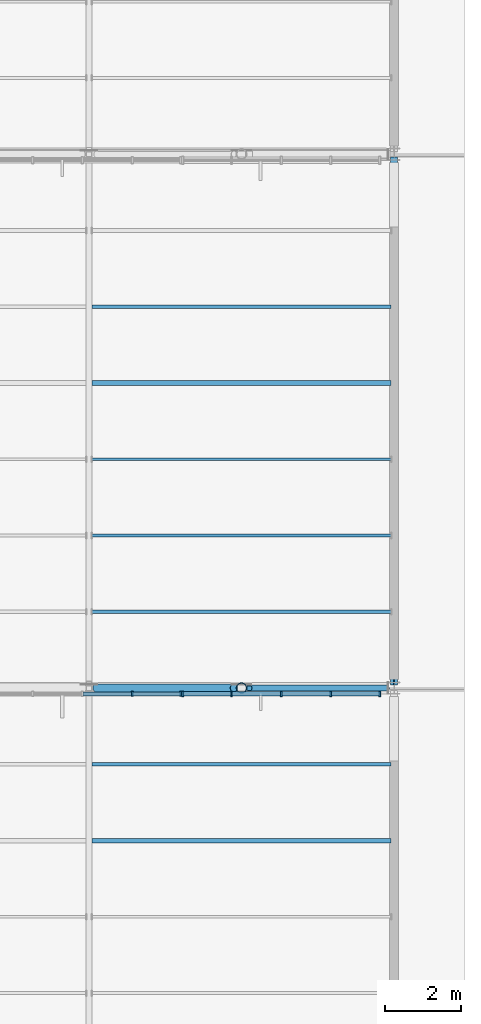
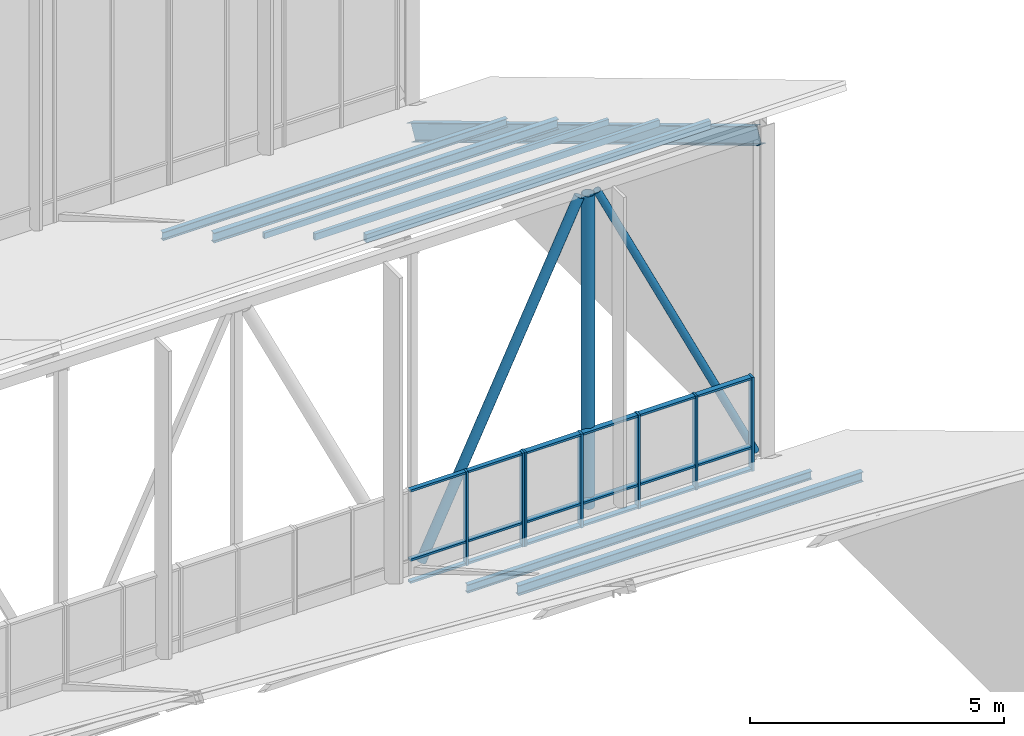
# One storey, part 60 of 155: 35 members, 1 beam, 2 elements without a shape of their own.
"""IFC4 building model written with IfcOpenShell, lengths in metres."""

from ifc_helpers import new_model, si_unit, direction, frame, origin, origin_2d, place, context, subcontext, project, spatial, rectangle, hollow_rectangle, hollow_circle, i_section, extrude, material, material_profile, profile_set, type_object, element, aggregate, save


model = new_model("IFC4")

# Units and contexts
model_context = context("Model", 3, precision=1e-05, world=origin(), true_north=direction((0.0, 1.0)))
body_context = subcontext(model_context, "Body", "Model", "MODEL_VIEW")
ifc_project = project(units=[si_unit("LENGTHUNIT", "METRE"), si_unit("AREAUNIT", "SQUARE_METRE"), si_unit("VOLUMEUNIT", "CUBIC_METRE"), si_unit("PLANEANGLEUNIT", "RADIAN"), si_unit("MASSUNIT", "GRAM", prefix="KILO")], contexts=[model_context])

# Site, building, storey
site_placement = place(None, origin())
site = spatial("IfcSite", under=ifc_project, at=site_placement, CompositionType="ELEMENT")
building_placement = place(site_placement, origin())
building = spatial("IfcBuilding", under=site, at=building_placement, Name="Larkveld Mobility Hub", CompositionType="ELEMENT")
storey_placement = place(building_placement, frame((0.0, 0.0, 8.39990234375)))
storey = spatial("IfcBuildingStorey", under=building, at=storey_placement, Name="L02", CompositionType="ELEMENT", Elevation=8.39990234375)

# Beam
ifc_material_1 = material(Name="Steel S355JR", Category="steel")
ifc_material_profile_1 = material_profile(ifc_material_1, i_section(OverallWidth=0.179931640625, OverallDepth=0.39990234375, WebThickness=0.008544921875, FlangeThickness=0.013427734375, FilletRadius=0.02099609375, at=origin_2d()), Name="IPE 400")
ifc_profile_set_1 = profile_set([ifc_material_profile_1], Name="Steel S355JR")
beam_type = type_object("IfcBeamType", Name="BM-STIPE400", PredefinedType="BEAM", material=ifc_profile_set_1)
beam_placement = place(storey_placement, frame((184.0, 84.179931640625, 7.708984375), z_axis=(0.0, 0.85749969687, -0.514484469998), x_axis=(-1.0, 0.0, 0.0)))
element("IfcBeam", 1, at=beam_placement, inside=storey, type_object=beam_type, Name="ROOF TRUSS Sawtooth Edge Rafter B5-184", PredefinedType="BEAM", context=body_context, shape_type="SweptSolid", body=[
    extrude(i_section(OverallWidth=0.179931640625, OverallDepth=0.39990234375, WebThickness=0.008544921875, FlangeThickness=0.013427734375, FilletRadius=0.02099609375, at=origin_2d()), origin(), (0.0, 0.0, 1.0), 15.906982421875),
])

# Curtain wall, members
ifc_material_2 = material(Name="Anodised aluminium 6063-T6", Category="aluminium")
curtain_wall_type_1 = type_object("IfcCurtainWallType", Name="CW-SYS-01", PredefinedType="NOTDEFINED", material=ifc_material_2)
curtain_wall_1_placement = place(storey_placement, origin())
curtain_wall_1 = element("IfcCurtainWall", 2, at=curtain_wall_1_placement, inside=storey, type_object=curtain_wall_type_1, Name="Sawtooth South-Light Clerestory B5 CW-037", PredefinedType="NOTDEFINED")
ifc_material_profile_2 = material_profile(ifc_material_2, rectangle(XDim=0.050048828125, YDim=0.14990234375, at=origin_2d()), Name="ALU MULL 50x150")
ifc_profile_set_2 = profile_set([ifc_material_profile_2], Name="Anodised aluminium 6063-T6")
member_type_1 = type_object("IfcMemberType", Name="CW-MUL-01", PredefinedType="MULLION", material=ifc_profile_set_2)
member_1_placement = place(storey_placement, frame((178.4580078125, 83.844970703125, -0.001953125), z_axis=(0.0, 0.0, 1.0), x_axis=(1.0, 0.0, 0.0)))
member_1 = element("IfcMember", 3, at=member_1_placement, type_object=member_type_1, Name="CW01 mullion 1", PredefinedType="MULLION", context=body_context, shape_type="SweptSolid", body=[
    extrude(rectangle(XDim=0.050048828125, YDim=0.14990234375, at=origin_2d()), origin(), (0.0, 0.0, 1.0), 2.261962890625),
])
member_2_placement = place(storey_placement, frame((179.737060546875, 83.844970703125, -0.001953125), z_axis=(0.0, 0.0, 1.0), x_axis=(1.0, 0.0, 0.0)))
member_2 = element("IfcMember", 4, at=member_2_placement, type_object=member_type_1, Name="CW01 mullion 2", PredefinedType="MULLION", context=body_context, shape_type="SweptSolid", body=[
    extrude(rectangle(XDim=0.050048828125, YDim=0.14990234375, at=origin_2d()), origin(), (0.0, 0.0, 1.0), 2.261962890625),
])
member_3_placement = place(storey_placement, frame((181.041015625, 83.844970703125, -0.001953125), z_axis=(0.0, 0.0, 1.0), x_axis=(1.0, 0.0, 0.0)))
member_3 = element("IfcMember", 5, at=member_3_placement, type_object=member_type_1, Name="CW01 mullion 3", PredefinedType="MULLION", context=body_context, shape_type="SweptSolid", body=[
    extrude(rectangle(XDim=0.050048828125, YDim=0.14990234375, at=origin_2d()), origin(), (0.0, 0.0, 1.0), 2.261962890625),
])
member_4_placement = place(storey_placement, frame((182.344970703125, 83.844970703125, -0.001953125), z_axis=(0.0, 0.0, 1.0), x_axis=(1.0, 0.0, 0.0)))
member_4 = element("IfcMember", 6, at=member_4_placement, type_object=member_type_1, Name="CW01 mullion 4", PredefinedType="MULLION", context=body_context, shape_type="SweptSolid", body=[
    extrude(rectangle(XDim=0.050048828125, YDim=0.14990234375, at=origin_2d()), origin(), (0.0, 0.0, 1.0), 2.261962890625),
])
member_5_placement = place(storey_placement, frame((183.625, 83.844970703125, -0.001953125), z_axis=(0.0, 0.0, 1.0), x_axis=(1.0, 0.0, 0.0)))
member_5 = element("IfcMember", 7, at=member_5_placement, type_object=member_type_1, Name="CW01 mullion 5", PredefinedType="MULLION", context=body_context, shape_type="SweptSolid", body=[
    extrude(rectangle(XDim=0.050048828125, YDim=0.14990234375, at=origin_2d()), origin(), (0.0, 0.0, 1.0), 2.261962890625),
])

curtain_wall_type_2 = type_object("IfcCurtainWallType", Name="CW-SYS-12", PredefinedType="NOTDEFINED", material=ifc_material_2)
curtain_wall_2_placement = place(storey_placement, origin())
curtain_wall_2 = element("IfcCurtainWall", 8, at=curtain_wall_2_placement, inside=storey, type_object=curtain_wall_type_2, Name="Sawtooth South-Light Clerestory B5 CW-036", PredefinedType="NOTDEFINED")
ifc_material_profile_3 = material_profile(ifc_material_2, rectangle(XDim=0.050048828125, YDim=0.1298828125, at=origin_2d()), Name="ALU MULL 50x130")
ifc_profile_set_3 = profile_set([ifc_material_profile_3], Name="Anodised aluminium 6063-T6")
member_type_2 = type_object("IfcMemberType", Name="CW-MUL-04", PredefinedType="MULLION", material=ifc_profile_set_3)
member_6_placement = place(storey_placement, frame((177.1298828125, 83.844970703125, -0.001953125), z_axis=(0.0, 0.0, 1.0), x_axis=(1.0, 0.0, 0.0)))
member_6 = element("IfcMember", 9, at=member_6_placement, type_object=member_type_2, Name="CW12 mullion 4", PredefinedType="MULLION", context=body_context, shape_type="SweptSolid", body=[
    extrude(rectangle(XDim=0.050048828125, YDim=0.1298828125, at=origin_2d()), origin(), (0.0, 0.0, 1.0), 2.261962890625),
])
member_7_placement = place(storey_placement, frame((178.408935546875, 83.844970703125, -0.001953125), z_axis=(0.0, 0.0, 1.0), x_axis=(1.0, 0.0, 0.0)))
member_7 = element("IfcMember", 10, at=member_7_placement, type_object=member_type_2, Name="CW12 mullion 5", PredefinedType="MULLION", context=body_context, shape_type="SweptSolid", body=[
    extrude(rectangle(XDim=0.050048828125, YDim=0.1298828125, at=origin_2d()), origin(), (0.0, 0.0, 1.0), 2.261962890625),
])

# Member
ifc_material_profile_4 = material_profile(ifc_material_2, rectangle(XDim=0.1201171875, YDim=0.050048828125, at=origin_2d()), Name="ALU TRAN 50x120")
ifc_profile_set_4 = profile_set([ifc_material_profile_4], Name="Anodised aluminium 6063-T6")
member_type_3 = type_object("IfcMemberType", Name="CW-TRN-01", PredefinedType="USERDEFINED", material=ifc_profile_set_4)
member_8_placement = place(storey_placement, frame((178.468017578125, 83.844970703125, 0.030029296875), z_axis=(1.0, 0.0, 0.0), x_axis=(0.0, 1.0, 0.0)))
member_8 = element("IfcMember", 11, at=member_8_placement, type_object=member_type_3, Name="CW01 transom 1.1", ObjectType="TRANSOM", PredefinedType="USERDEFINED", context=body_context, shape_type="SweptSolid", body=[
    extrude(rectangle(XDim=0.1201171875, YDim=0.050048828125, at=origin_2d()), origin(), (0.0, 0.0, 1.0), 1.25390625),
])

member_9_placement = place(storey_placement, frame((178.468017578125, 83.844970703125, 0.565185546875), z_axis=(1.0, 0.0, 0.0), x_axis=(0.0, 1.0, 0.0)))
member_9 = element("IfcMember", 12, at=member_9_placement, type_object=member_type_3, Name="CW01 transom 1.2", ObjectType="TRANSOM", PredefinedType="USERDEFINED", context=body_context, shape_type="SweptSolid", body=[
    extrude(rectangle(XDim=0.1201171875, YDim=0.050048828125, at=origin_2d()), origin(), (0.0, 0.0, 1.0), 1.25390625),
])

member_10_placement = place(storey_placement, frame((178.468017578125, 83.844970703125, 2.22802734375), z_axis=(1.0, 0.0, 0.0), x_axis=(0.0, 1.0, 0.0)))
member_10 = element("IfcMember", 13, at=member_10_placement, type_object=member_type_3, Name="CW01 transom 1.3", ObjectType="TRANSOM", PredefinedType="USERDEFINED", context=body_context, shape_type="SweptSolid", body=[
    extrude(rectangle(XDim=0.1201171875, YDim=0.050048828125, at=origin_2d()), origin(), (0.0, 0.0, 1.0), 1.25390625),
])

member_11_placement = place(storey_placement, frame((179.751953125, 83.844970703125, 0.030029296875), z_axis=(1.0, 0.0, 0.0), x_axis=(0.0, 1.0, 0.0)))
member_11 = element("IfcMember", 14, at=member_11_placement, type_object=member_type_3, Name="CW01 transom 2.1", ObjectType="TRANSOM", PredefinedType="USERDEFINED", context=body_context, shape_type="SweptSolid", body=[
    extrude(rectangle(XDim=0.1201171875, YDim=0.050048828125, at=origin_2d()), origin(), (0.0, 0.0, 1.0), 1.27392578125),
])

member_12_placement = place(storey_placement, frame((179.751953125, 83.844970703125, 0.565185546875), z_axis=(1.0, 0.0, 0.0), x_axis=(0.0, 1.0, 0.0)))
member_12 = element("IfcMember", 15, at=member_12_placement, type_object=member_type_3, Name="CW01 transom 2.2", ObjectType="TRANSOM", PredefinedType="USERDEFINED", context=body_context, shape_type="SweptSolid", body=[
    extrude(rectangle(XDim=0.1201171875, YDim=0.050048828125, at=origin_2d()), origin(), (0.0, 0.0, 1.0), 1.27392578125),
])

member_13_placement = place(storey_placement, frame((179.751953125, 83.844970703125, 2.22802734375), z_axis=(1.0, 0.0, 0.0), x_axis=(0.0, 1.0, 0.0)))
member_13 = element("IfcMember", 16, at=member_13_placement, type_object=member_type_3, Name="CW01 transom 2.3", ObjectType="TRANSOM", PredefinedType="USERDEFINED", context=body_context, shape_type="SweptSolid", body=[
    extrude(rectangle(XDim=0.1201171875, YDim=0.050048828125, at=origin_2d()), origin(), (0.0, 0.0, 1.0), 1.27392578125),
])

member_14_placement = place(storey_placement, frame((181.055908203125, 83.844970703125, 0.030029296875), z_axis=(1.0, 0.0, 0.0), x_axis=(0.0, 1.0, 0.0)))
member_14 = element("IfcMember", 17, at=member_14_placement, type_object=member_type_3, Name="CW01 transom 3.1", ObjectType="TRANSOM", PredefinedType="USERDEFINED", context=body_context, shape_type="SweptSolid", body=[
    extrude(rectangle(XDim=0.1201171875, YDim=0.050048828125, at=origin_2d()), origin(), (0.0, 0.0, 1.0), 1.275146484375),
])

member_15_placement = place(storey_placement, frame((181.055908203125, 83.844970703125, 0.565185546875), z_axis=(1.0, 0.0, 0.0), x_axis=(0.0, 1.0, 0.0)))
member_15 = element("IfcMember", 18, at=member_15_placement, type_object=member_type_3, Name="CW01 transom 3.2", ObjectType="TRANSOM", PredefinedType="USERDEFINED", context=body_context, shape_type="SweptSolid", body=[
    extrude(rectangle(XDim=0.1201171875, YDim=0.050048828125, at=origin_2d()), origin(), (0.0, 0.0, 1.0), 1.275146484375),
])

member_16_placement = place(storey_placement, frame((181.055908203125, 83.844970703125, 2.22802734375), z_axis=(1.0, 0.0, 0.0), x_axis=(0.0, 1.0, 0.0)))
member_16 = element("IfcMember", 19, at=member_16_placement, type_object=member_type_3, Name="CW01 transom 3.3", ObjectType="TRANSOM", PredefinedType="USERDEFINED", context=body_context, shape_type="SweptSolid", body=[
    extrude(rectangle(XDim=0.1201171875, YDim=0.050048828125, at=origin_2d()), origin(), (0.0, 0.0, 1.0), 1.275146484375),
])

member_17_placement = place(storey_placement, frame((182.361083984375, 83.844970703125, 0.030029296875), z_axis=(1.0, 0.0, 0.0), x_axis=(0.0, 1.0, 0.0)))
member_17 = element("IfcMember", 20, at=member_17_placement, type_object=member_type_3, Name="CW01 transom 4.1", ObjectType="TRANSOM", PredefinedType="USERDEFINED", context=body_context, shape_type="SweptSolid", body=[
    extrude(rectangle(XDim=0.1201171875, YDim=0.050048828125, at=origin_2d()), origin(), (0.0, 0.0, 1.0), 1.25390625),
])

member_18_placement = place(storey_placement, frame((182.361083984375, 83.844970703125, 0.565185546875), z_axis=(1.0, 0.0, 0.0), x_axis=(0.0, 1.0, 0.0)))
member_18 = element("IfcMember", 21, at=member_18_placement, type_object=member_type_3, Name="CW01 transom 4.2", ObjectType="TRANSOM", PredefinedType="USERDEFINED", context=body_context, shape_type="SweptSolid", body=[
    extrude(rectangle(XDim=0.1201171875, YDim=0.050048828125, at=origin_2d()), origin(), (0.0, 0.0, 1.0), 1.25390625),
])

member_19_placement = place(storey_placement, frame((182.361083984375, 83.844970703125, 2.22802734375), z_axis=(1.0, 0.0, 0.0), x_axis=(0.0, 1.0, 0.0)))
member_19 = element("IfcMember", 22, at=member_19_placement, type_object=member_type_3, Name="CW01 transom 4.3", ObjectType="TRANSOM", PredefinedType="USERDEFINED", context=body_context, shape_type="SweptSolid", body=[
    extrude(rectangle(XDim=0.1201171875, YDim=0.050048828125, at=origin_2d()), origin(), (0.0, 0.0, 1.0), 1.25390625),
])

aggregate(curtain_wall_1, [member_1, member_2, member_3, member_4, member_5, member_8, member_9, member_10, member_11, member_12, member_13, member_14, member_15, member_16, member_17, member_18, member_19])

ifc_material_profile_5 = material_profile(ifc_material_2, rectangle(XDim=0.10009765625, YDim=0.050048828125, at=origin_2d()), Name="ALU TRAN 50x100")
ifc_profile_set_5 = profile_set([ifc_material_profile_5], Name="Anodised aluminium 6063-T6")
member_type_4 = type_object("IfcMemberType", Name="CW-TRN-04", PredefinedType="USERDEFINED", material=ifc_profile_set_5)
member_20_placement = place(storey_placement, frame((175.840087890625, 83.844970703125, 0.030029296875), z_axis=(1.0, 0.0, 0.0), x_axis=(0.0, 1.0, 0.0)))
member_20 = element("IfcMember", 23, at=member_20_placement, type_object=member_type_4, Name="CW12 transom 3.1", ObjectType="TRANSOM", PredefinedType="USERDEFINED", context=body_context, shape_type="SweptSolid", body=[
    extrude(rectangle(XDim=0.10009765625, YDim=0.050048828125, at=origin_2d()), origin(), (0.0, 0.0, 1.0), 1.27490234375),
])

member_21_placement = place(storey_placement, frame((175.840087890625, 83.844970703125, 0.565185546875), z_axis=(1.0, 0.0, 0.0), x_axis=(0.0, 1.0, 0.0)))
member_21 = element("IfcMember", 24, at=member_21_placement, type_object=member_type_4, Name="CW12 transom 3.2", ObjectType="TRANSOM", PredefinedType="USERDEFINED", context=body_context, shape_type="SweptSolid", body=[
    extrude(rectangle(XDim=0.10009765625, YDim=0.050048828125, at=origin_2d()), origin(), (0.0, 0.0, 1.0), 1.27490234375),
])

member_22_placement = place(storey_placement, frame((175.840087890625, 83.844970703125, 2.22802734375), z_axis=(1.0, 0.0, 0.0), x_axis=(0.0, 1.0, 0.0)))
member_22 = element("IfcMember", 25, at=member_22_placement, type_object=member_type_4, Name="CW12 transom 3.3", ObjectType="TRANSOM", PredefinedType="USERDEFINED", context=body_context, shape_type="SweptSolid", body=[
    extrude(rectangle(XDim=0.10009765625, YDim=0.050048828125, at=origin_2d()), origin(), (0.0, 0.0, 1.0), 1.27490234375),
])

member_23_placement = place(storey_placement, frame((177.14501953125, 83.844970703125, 0.030029296875), z_axis=(1.0, 0.0, 0.0), x_axis=(0.0, 1.0, 0.0)))
member_23 = element("IfcMember", 26, at=member_23_placement, type_object=member_type_4, Name="CW12 transom 4.1", ObjectType="TRANSOM", PredefinedType="USERDEFINED", context=body_context, shape_type="SweptSolid", body=[
    extrude(rectangle(XDim=0.10009765625, YDim=0.050048828125, at=origin_2d()), origin(), (0.0, 0.0, 1.0), 1.25390625),
])

member_24_placement = place(storey_placement, frame((177.14501953125, 83.844970703125, 0.565185546875), z_axis=(1.0, 0.0, 0.0), x_axis=(0.0, 1.0, 0.0)))
member_24 = element("IfcMember", 27, at=member_24_placement, type_object=member_type_4, Name="CW12 transom 4.2", ObjectType="TRANSOM", PredefinedType="USERDEFINED", context=body_context, shape_type="SweptSolid", body=[
    extrude(rectangle(XDim=0.10009765625, YDim=0.050048828125, at=origin_2d()), origin(), (0.0, 0.0, 1.0), 1.25390625),
])

member_25_placement = place(storey_placement, frame((177.14501953125, 83.844970703125, 2.22802734375), z_axis=(1.0, 0.0, 0.0), x_axis=(0.0, 1.0, 0.0)))
member_25 = element("IfcMember", 28, at=member_25_placement, type_object=member_type_4, Name="CW12 transom 4.3", ObjectType="TRANSOM", PredefinedType="USERDEFINED", context=body_context, shape_type="SweptSolid", body=[
    extrude(rectangle(XDim=0.10009765625, YDim=0.050048828125, at=origin_2d()), origin(), (0.0, 0.0, 1.0), 1.25390625),
])

aggregate(curtain_wall_2, [member_6, member_7, member_20, member_21, member_22, member_23, member_24, member_25])

# Members
ifc_material_profile_6 = material_profile(ifc_material_1, hollow_circle(Radius=0.084228515625, WallThickness=0.008056640625, at=origin_2d()), Name="CHS 168.3x8")
ifc_profile_set_6 = profile_set([ifc_material_profile_6], Name="Steel S355JR")
member_type_5 = type_object("IfcMemberType", Name="MB-BR-CHS168", PredefinedType="BRACE", material=ifc_profile_set_6)
member_26_placement = place(storey_placement, frame((180.199951171875, 84.0, 7.8251953125), z_axis=(0.43156423058, 0.0, -0.902082210712), x_axis=(0.0, 1.0, 0.0)))
element("IfcMember", 29, at=member_26_placement, inside=storey, type_object=member_type_5, Name="ROOF TRUSS T5 Web Diagonal 8", PredefinedType="BRACE", context=body_context, shape_type="SweptSolid", body=[
    extrude(hollow_circle(Radius=0.084228515625, WallThickness=0.008056640625, at=origin_2d()), origin(), (0.0, 0.0, 1.0), 8.342041015625),
])
ifc_material_profile_7 = material_profile(ifc_material_1, hollow_circle(Radius=0.109619140625, WallThickness=0.010009765625, at=origin_2d()), Name="CHS 219.1x10")
ifc_profile_set_7 = profile_set([ifc_material_profile_7], Name="Steel S355JR")
member_type_6 = type_object("IfcMemberType", Name="MB-BR-CHS219", PredefinedType="BRACE", material=ifc_profile_set_7)
member_27_placement = place(storey_placement, frame((176.199951171875, 84.0, 0.300048828125), z_axis=(0.43156423058, 0.0, 0.902082210712), x_axis=(0.0, 1.0, 0.0)))
element("IfcMember", 30, at=member_27_placement, inside=storey, type_object=member_type_6, Name="ROOF TRUSS T5 Web Diagonal 7", PredefinedType="BRACE", context=body_context, shape_type="SweptSolid", body=[
    extrude(hollow_circle(Radius=0.109619140625, WallThickness=0.010009765625, at=origin_2d()), origin(), (0.0, 0.0, 1.0), 8.342041015625),
])
ifc_material_profile_8 = material_profile(ifc_material_1, hollow_circle(Radius=0.136474609375, WallThickness=0.012451171875, at=origin_2d()), Name="CHS 273x12.5")
ifc_profile_set_8 = profile_set([ifc_material_profile_8], Name="Steel S355JR")
member_type_7 = type_object("IfcMemberType", Name="MB-BR-CHS273", PredefinedType="BRACE", material=ifc_profile_set_8)
member_28_placement = place(storey_placement, frame((180.0, 84.0, 0.300048828125), z_axis=(0.0, 0.0, 1.0), x_axis=(1.0, 0.0, 0.0)))
element("IfcMember", 31, at=member_28_placement, inside=storey, type_object=member_type_7, Name="ROOF TRUSS T5 Vertical Post 7", PredefinedType="BRACE", context=body_context, shape_type="SweptSolid", body=[
    extrude(hollow_circle(Radius=0.136474609375, WallThickness=0.012451171875, at=origin_2d()), origin(), (0.0, 0.0, 1.0), 7.525146484375),
])
ifc_material_profile_9 = material_profile(ifc_material_1, i_section(OverallWidth=0.10009765625, OverallDepth=0.199951171875, WebThickness=0.005615234375, FlangeThickness=0.008544921875, FilletRadius=0.011962890625, at=origin_2d()), Name="IPE 200")
ifc_profile_set_9 = profile_set([ifc_material_profile_9], Name="Steel S355JR")
member_type_8 = type_object("IfcMemberType", Name="MB-PR-IPE200", PredefinedType="PURLIN", material=ifc_profile_set_9)
for number, where, z_axis, x_axis, name in (
    (32, (176.080078125, 82.0, 0.906982421875), (1.0, 0.0, 0.0), (0.0, 1.0, 0.0), "Sawtooth Roof Purlin B4-6.4"),
    (33, (176.080078125, 94.0, 2.107177734375), (1.0, 0.0, 0.0), (0.0, 1.0, 0.0), "Sawtooth Roof Purlin B5-5.4"),
):
    element("IfcMember", number, at=place(storey_placement, frame(where, z_axis=z_axis, x_axis=x_axis)), inside=storey, type_object=member_type_8, Name=name, PredefinedType="PURLIN", context=body_context, shape_type="SweptSolid", body=[
        extrude(i_section(OverallWidth=0.10009765625, OverallDepth=0.199951171875, WebThickness=0.005615234375, FlangeThickness=0.008544921875, FilletRadius=0.011962890625, at=origin_2d()), origin(), (0.0, 0.0, 1.0), 7.83984375),
    ])
ifc_material_profile_10 = material_profile(ifc_material_1, i_section(OverallWidth=0.1201171875, OverallDepth=0.239990234375, WebThickness=0.006103515625, FlangeThickness=0.009765625, FilletRadius=0.014892578125, at=origin_2d()), Name="IPE 240")
ifc_profile_set_10 = profile_set([ifc_material_profile_10], Name="Steel S355JR")
member_type_9 = type_object("IfcMemberType", Name="MB-PR-IPE240", PredefinedType="PURLIN", material=ifc_profile_set_10)
for number, where, z_axis, x_axis, name in (
    (34, (176.080078125, 80.0, 2.087158203125), (1.0, 0.0, 0.0), (0.0, 1.0, 0.0), "Sawtooth Roof Purlin B4-5.4"),
    (35, (176.080078125, 92.0, 3.287109375), (1.0, 0.0, 0.0), (0.0, 1.0, 0.0), "Sawtooth Roof Purlin B5-4.4"),
):
    element("IfcMember", number, at=place(storey_placement, frame(where, z_axis=z_axis, x_axis=x_axis)), inside=storey, type_object=member_type_9, Name=name, PredefinedType="PURLIN", context=body_context, shape_type="SweptSolid", body=[
        extrude(i_section(OverallWidth=0.1201171875, OverallDepth=0.239990234375, WebThickness=0.006103515625, FlangeThickness=0.009765625, FilletRadius=0.014892578125, at=origin_2d()), origin(), (0.0, 0.0, 1.0), 7.83984375),
    ])
ifc_material_profile_11 = material_profile(ifc_material_1, hollow_rectangle(XDim=0.070068359375, YDim=0.139892578125, WallThickness=0.00634765625, at=origin_2d()), Name="RHS 140x70x6.3")
ifc_profile_set_11 = profile_set([ifc_material_profile_11], Name="Steel S355JR")
member_type_10 = type_object("IfcMemberType", Name="MB-PR-RHS140", PredefinedType="PURLIN", material=ifc_profile_set_11)
member_29_placement = place(storey_placement, frame((176.080078125, 90.0, 4.537109375), z_axis=(1.0, 0.0, 0.0), x_axis=(0.0, 1.0, 0.0)))
element("IfcMember", 36, at=member_29_placement, inside=storey, type_object=member_type_10, Name="Sawtooth Roof Purlin B5-3.4", PredefinedType="PURLIN", context=body_context, shape_type="SweptSolid", body=[
    extrude(hollow_rectangle(XDim=0.070068359375, YDim=0.139892578125, WallThickness=0.00634765625, at=origin_2d()), origin(), (0.0, 0.0, 1.0), 7.83984375),
])
ifc_material_profile_12 = material_profile(ifc_material_1, hollow_rectangle(XDim=0.080078125, YDim=0.159912109375, WallThickness=0.008056640625, at=origin_2d()), Name="RHS 160x80x8")
ifc_profile_set_12 = profile_set([ifc_material_profile_12], Name="Steel S355JR")
member_type_11 = type_object("IfcMemberType", Name="MB-PR-RHS160", PredefinedType="PURLIN", material=ifc_profile_set_12)
member_30_placement = place(storey_placement, frame((176.080078125, 88.0, 5.72705078125), z_axis=(1.0, 0.0, 0.0), x_axis=(0.0, 1.0, 0.0)))
element("IfcMember", 37, at=member_30_placement, inside=storey, type_object=member_type_11, Name="Sawtooth Roof Purlin B5-2.4", PredefinedType="PURLIN", context=body_context, shape_type="SweptSolid", body=[
    extrude(hollow_rectangle(XDim=0.080078125, YDim=0.159912109375, WallThickness=0.008056640625, at=origin_2d()), origin(), (0.0, 0.0, 1.0), 7.83984375),
])
ifc_material_profile_13 = material_profile(ifc_material_1, hollow_rectangle(XDim=0.10009765625, YDim=0.199951171875, WallThickness=0.008056640625, at=origin_2d()), Name="RHS 200x100x8")
ifc_profile_set_13 = profile_set([ifc_material_profile_13], Name="Steel S355JR")
member_type_12 = type_object("IfcMemberType", Name="MB-PR-RHS200", PredefinedType="PURLIN", material=ifc_profile_set_13)
member_31_placement = place(storey_placement, frame((176.080078125, 86.0, 6.906982421875), z_axis=(1.0, 0.0, 0.0), x_axis=(0.0, 1.0, 0.0)))
element("IfcMember", 38, at=member_31_placement, inside=storey, type_object=member_type_12, Name="Sawtooth Roof Purlin B5-1.4", PredefinedType="PURLIN", context=body_context, shape_type="SweptSolid", body=[
    extrude(hollow_rectangle(XDim=0.10009765625, YDim=0.199951171875, WallThickness=0.008056640625, at=origin_2d()), origin(), (0.0, 0.0, 1.0), 7.83984375),
])

save(model, "model.ifc")
